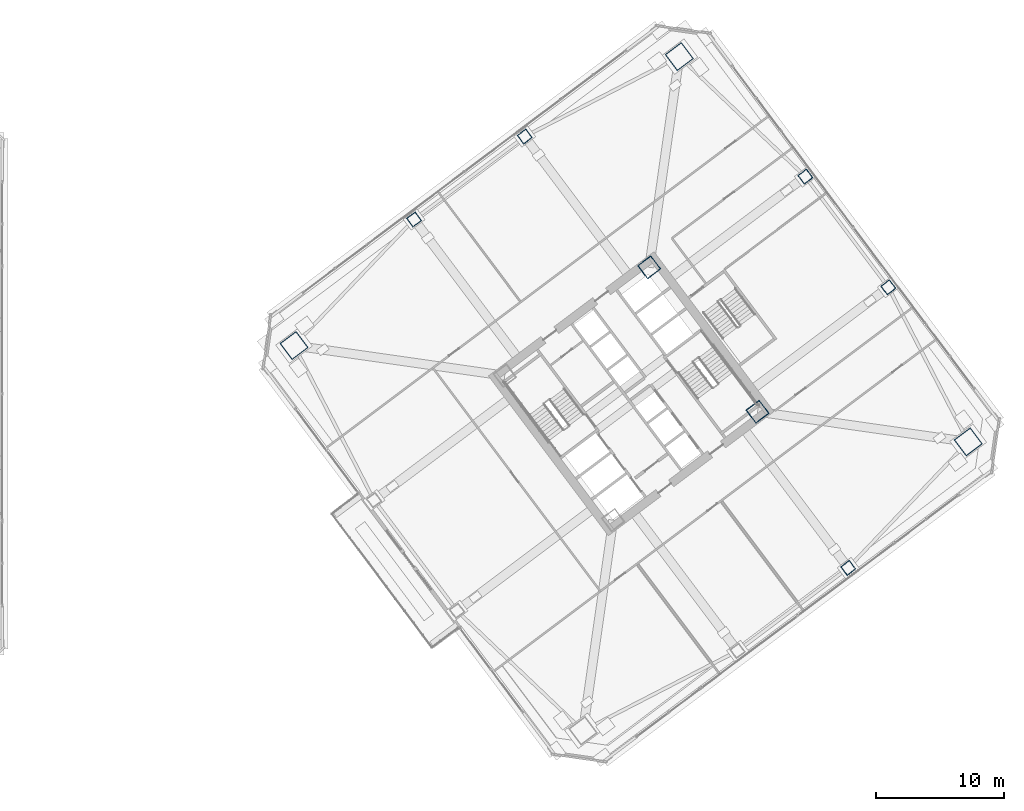
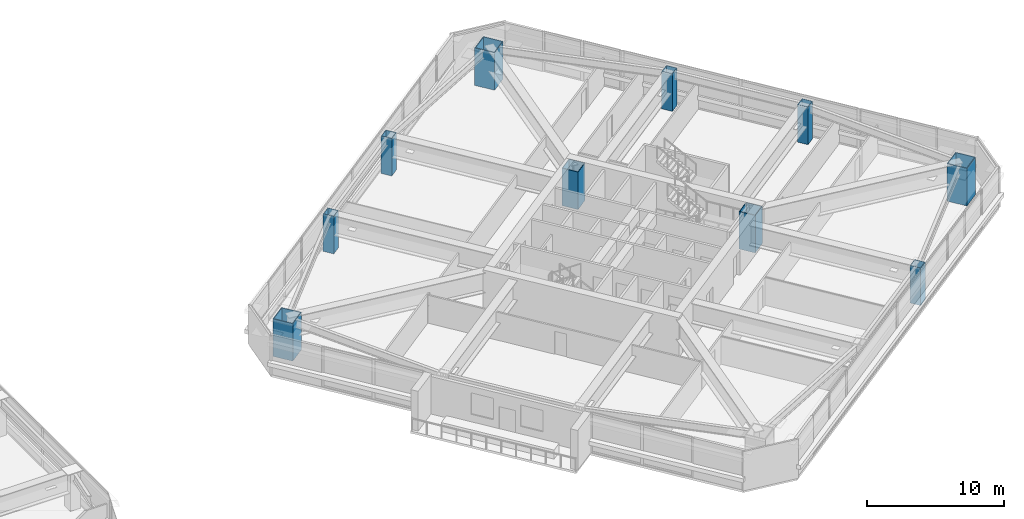
# One storey, part 2 of 48: 10 columns.
"""IFC4 building model written with IfcOpenShell, lengths in metres."""

from ifc_helpers import new_model, si_unit, direction, frame, origin, origin_2d, place, context, subcontext, project, spatial, hollow_rectangle, extrude, material, material_profile, profile_set, type_object, element, save


model = new_model("IFC4")

# Units and contexts
model_context = context("Model", 3, precision=1e-05, world=origin(), true_north=direction((0.0, 1.0)))
body_context = subcontext(model_context, "Body", "Model", "MODEL_VIEW")
ifc_project = project(units=[si_unit("LENGTHUNIT", "METRE"), si_unit("AREAUNIT", "SQUARE_METRE"), si_unit("VOLUMEUNIT", "CUBIC_METRE"), si_unit("PLANEANGLEUNIT", "RADIAN"), si_unit("MASSUNIT", "GRAM", prefix="KILO")], contexts=[model_context])

# Site, building, storey
site_placement = place(None, origin())
site = spatial("IfcSite", under=ifc_project, at=site_placement, CompositionType="ELEMENT")
building_placement = place(site_placement, origin())
building = spatial("IfcBuilding", under=site, at=building_placement, Name="Tashvorn Skyway Center", CompositionType="ELEMENT")
storey_placement = place(building_placement, frame((0.0, 0.0, 63.64990234375)))
storey = spatial("IfcBuildingStorey", under=building, at=storey_placement, Name="L16", CompositionType="ELEMENT", Elevation=63.64990234375)

# Columns
ifc_material = material(Name="Steel ASTM A572 Grade 50", Category="steel")
ifc_material_profile_1 = material_profile(ifc_material, hollow_rectangle(XDim=1.300048828125, YDim=1.300048828125, WallThickness=0.050048828125, at=origin_2d()), Name="BOX1300x1300x50")
ifc_profile_set_1 = profile_set([ifc_material_profile_1], Name="Steel ASTM A572 Grade 50")
column_type_1 = type_object("IfcColumnType", Name="COL-BOX1300x1300x50", PredefinedType="COLUMN", material=ifc_profile_set_1)
for number, where, z_axis, x_axis, name in (
    (1, (123.8701171875, 30.590087890625, 0.0), (0.0, 0.0, 1.0), (0.799999996291, 0.600000004945, 0.0), "Tower 2 L16 Core Corner Column CC-SE"),
    (2, (115.409912109375, 41.8701171875, 0.0), (0.0, 0.0, 1.0), (0.799999996291, 0.600000004945, 0.0), "Tower 2 L16 Core Corner Column CC-NE"),
):
    element("IfcColumn", number, at=place(storey_placement, frame(where, z_axis=z_axis, x_axis=x_axis)), inside=storey, type_object=column_type_1, Name=name, PredefinedType="COLUMN", context=body_context, shape_type="SweptSolid", body=[
        extrude(hollow_rectangle(XDim=1.300048828125, YDim=1.300048828125, WallThickness=0.050048828125, at=origin_2d()), origin(), (0.0, 0.0, 1.0), 3.35009765625),
    ])
ifc_material_profile_2 = material_profile(ifc_material, hollow_rectangle(XDim=1.60009765625, YDim=1.60009765625, WallThickness=0.06005859375, at=origin_2d()), Name="BOX1600x1600x60")
ifc_profile_set_2 = profile_set([ifc_material_profile_2], Name="Steel ASTM A572 Grade 50")
column_type_2 = type_object("IfcColumnType", Name="COL-BOX1600x1600x60", PredefinedType="COLUMN", material=ifc_profile_set_2)
for number, where, z_axis, x_axis, name in (
    (3, (140.320068359375, 28.239990234375, 0.0), (0.0, 0.0, 1.0), (0.799999996291, 0.600000004945, 0.0), "Tower 2 L16 Mega-Column MC-SE"),
    (4, (117.760009765625, 58.320068359375, 0.0), (0.0, 0.0, 1.0), (0.799999996291, 0.600000004945, 0.0), "Tower 2 L16 Mega-Column MC-NE"),
    (5, (87.679931640625, 35.760009765625, 0.0), (0.0, 0.0, 1.0), (0.799999996291, 0.600000004945, 0.0), "Tower 2 L16 Mega-Column MC-NW"),
):
    element("IfcColumn", number, at=place(storey_placement, frame(where, z_axis=z_axis, x_axis=x_axis)), inside=storey, type_object=column_type_2, Name=name, PredefinedType="COLUMN", context=body_context, shape_type="SweptSolid", body=[
        extrude(hollow_rectangle(XDim=1.60009765625, YDim=1.60009765625, WallThickness=0.06005859375, at=origin_2d()), origin(), (0.0, 0.0, 1.0), 3.35009765625),
    ])
ifc_material_profile_3 = material_profile(ifc_material, hollow_rectangle(XDim=0.85009765625, YDim=0.85009765625, WallThickness=0.034912109375, at=origin_2d()), Name="BOX850x850x35")
ifc_profile_set_3 = profile_set([ifc_material_profile_3], Name="Steel ASTM A572 Grade 50")
column_type_3 = type_object("IfcColumnType", Name="COL-BOX850x850x35", PredefinedType="COLUMN", material=ifc_profile_set_3)
for number, where, z_axis, x_axis, name in (
    (6, (130.949951171875, 18.39990234375, 0.0), (0.0, 0.0, 1.0), (0.799999996291, 0.600000004945, 0.0), "Tower 2 L16 Perimeter Column FC-S2"),
    (7, (134.080078125, 40.31005859375, 0.0), (0.0, 0.0, 1.0), (0.799999996291, 0.600000004945, 0.0), "Tower 2 L16 Perimeter Column FC-E1"),
    (8, (127.60009765625, 48.949951171875, 0.0), (0.0, 0.0, 1.0), (0.799999996291, 0.600000004945, 0.0), "Tower 2 L16 Perimeter Column FC-E2"),
    (9, (105.68994140625, 52.080078125, 0.0), (0.0, 0.0, 1.0), (0.799999996291, 0.600000004945, 0.0), "Tower 2 L16 Perimeter Column FC-N1"),
    (10, (97.050048828125, 45.60009765625, 0.0), (0.0, 0.0, 1.0), (0.799999996291, 0.600000004945, 0.0), "Tower 2 L16 Perimeter Column FC-N2"),
):
    element("IfcColumn", number, at=place(storey_placement, frame(where, z_axis=z_axis, x_axis=x_axis)), inside=storey, type_object=column_type_3, Name=name, PredefinedType="COLUMN", context=body_context, shape_type="SweptSolid", body=[
        extrude(hollow_rectangle(XDim=0.85009765625, YDim=0.85009765625, WallThickness=0.034912109375, at=origin_2d()), origin(), (0.0, 0.0, 1.0), 3.35009765625),
    ])

save(model, "model.ifc")
